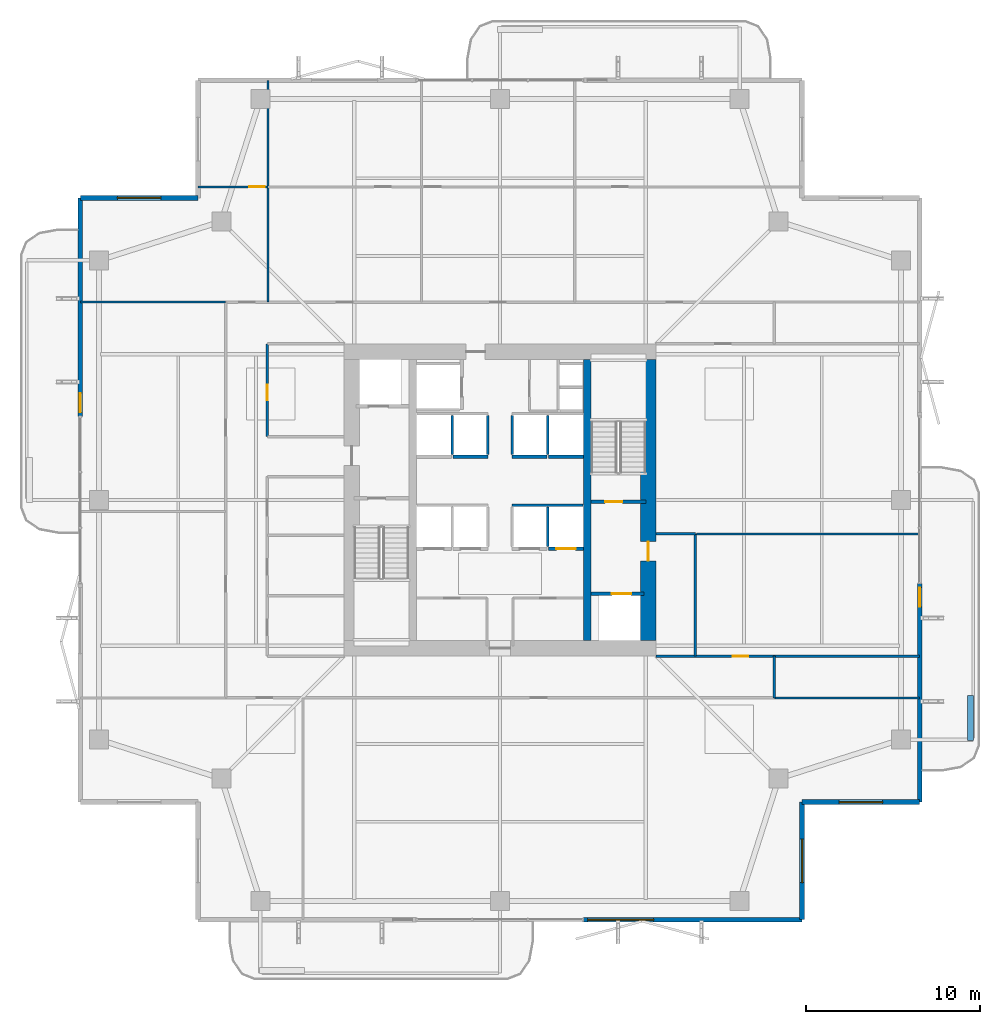
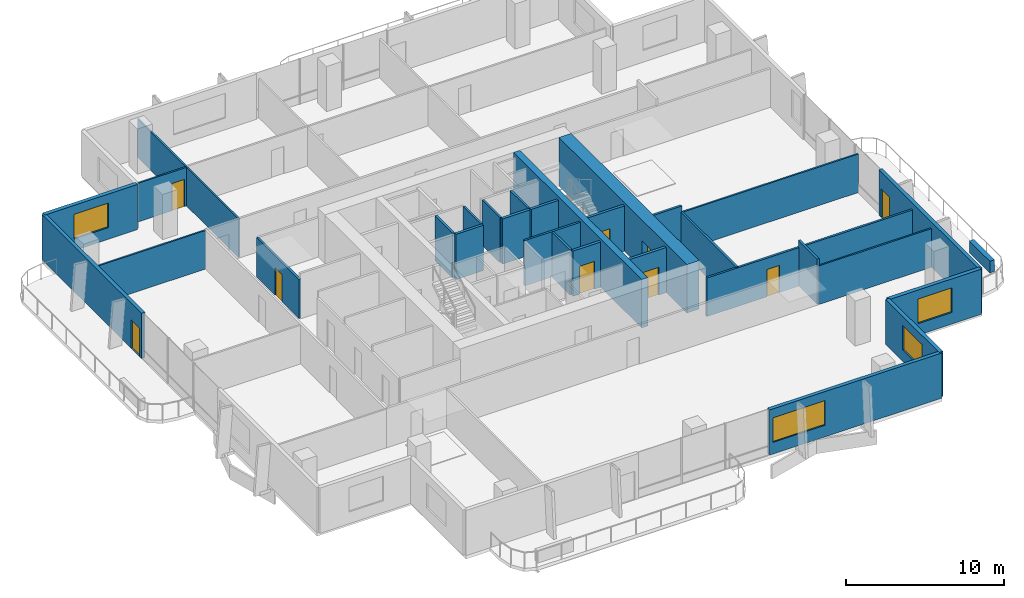
# One storey, part 20 of 25: 31 walls, 9 doors, 4 windows, 13 openings.
"""IFC4 building model written with IfcOpenShell, lengths in metres."""

from ifc_helpers import new_model, si_unit, direction, frame, frame_2d, origin, place, context, subcontext, project, spatial, rectangle, extrude, material, layer, layer_set, type_object, element, fill, save


model = new_model("IFC4")

# Units and contexts
model_context = context("Model", 3, precision=1e-05, world=origin(), true_north=direction((0.0, 1.0)))
body_context = subcontext(model_context, "Body", "Model", "MODEL_VIEW")
ifc_project = project(units=[si_unit("LENGTHUNIT", "METRE"), si_unit("AREAUNIT", "SQUARE_METRE"), si_unit("VOLUMEUNIT", "CUBIC_METRE"), si_unit("PLANEANGLEUNIT", "RADIAN"), si_unit("MASSUNIT", "GRAM", prefix="KILO")], contexts=[model_context])

# Site, building, storey
site_placement = place(None, origin())
site = spatial("IfcSite", under=ifc_project, at=site_placement, CompositionType="ELEMENT")
building_placement = place(site_placement, origin())
building = spatial("IfcBuilding", under=site, at=building_placement, Name="Belovzor Exchange Tower", CompositionType="ELEMENT")
storey_placement = place(building_placement, frame((0.0, 0.0, 183.300048828125)))
storey = spatial("IfcBuildingStorey", under=building, at=storey_placement, Name="L45", CompositionType="ELEMENT", Elevation=183.300048828125)

# Wall, opening, door
ifc_material_1 = material(Name="Acoustic Plasterboard on Galvanised Studs", Category="gypsum")
ifc_layer_1 = layer(ifc_material_1, 0.1201171875)
ifc_layer_set_1 = layer_set([ifc_layer_1], Name="Acoustic Plasterboard on Galvanised Studs")
wall_type_1 = type_object("IfcWallType", Name="Acoustic Double-Stud Partition Wall 120", PredefinedType="PARTITIONING", material=ifc_layer_set_1)
wall_1_placement = place(storey_placement, frame((11.39990234375, 46.833984375, 0.0), z_axis=(0.0, 0.0, 1.0), x_axis=(1.0, 0.0, 0.0)))
wall_1 = element("IfcWall", 1, at=wall_1_placement, inside=storey, type_object=wall_type_1, Name="W-P120 Partition Wall W-L45-NHDIV-0", PredefinedType="PARTITIONING", context=body_context, shape_type="SweptSolid", body=[
    extrude(rectangle(XDim=4.043212890625, YDim=0.1201171875, at=frame_2d((2.021484375, 0.0))), origin(), (0.0, 0.0, 1.0), 2.97998046875),
])
opening_1_placement = place(wall_1_placement, frame((2.943115234375, 0.0, 0.0)))
opening_1 = element("IfcOpeningElement", 2, at=opening_1_placement, cuts=wall_1, Name="Opening D-INT-090", PredefinedType="OPENING", context=body_context, shape_type="SweptSolid", body=[
    extrude(rectangle(XDim=0.89990234375, YDim=2.10009765625, at=frame_2d((0.449951171875, 1.050048828125))), frame((0.0, 0.070068359375, 0.0), z_axis=(0.0, -1.0, 0.0), x_axis=(1.0, 0.0, 0.0)), (0.0, 0.0, 1.0), 0.14013671875),
])
ifc_material_2 = material(Name="Veneered Hardwood Acoustic Leaf", Category="wood")
door_type_1 = type_object("IfcDoorType", Name="Trading Suite Acoustic Single Door 900x2100", OperationType="NOTDEFINED", PredefinedType="DOOR", material=ifc_material_2)
door_1_placement = place(opening_1_placement, origin())
door_1 = element("IfcDoor", 3, at=door_1_placement, inside=storey, type_object=door_type_1, Name="D-INT-090 Trading Suite Acoustic Single Door 900x2100", OperationType="SINGLE_SWING_RIGHT", OverallHeight=2.10009765625, OverallWidth=0.89990234375, PredefinedType="DOOR", context=body_context, shape_type="SweptSolid", body=[
    extrude(rectangle(XDim=0.89990234375, YDim=2.10009765625, at=frame_2d((0.449951171875, 1.050048828125))), frame((0.0, 0.02490234375, 0.0), z_axis=(0.0, -1.0, 0.0), x_axis=(1.0, 0.0, 0.0)), (0.0, 0.0, 1.0), 0.050048828125),
])
fill(opening_1, door_1)

# Walls
wall_2_placement = place(storey_placement, frame((15.443115234375, 40.199951171875, 0.0), z_axis=(0.0, 0.0, 1.0), x_axis=(0.0, 1.0, 0.0)))
element("IfcWall", 4, at=wall_2_placement, inside=storey, type_object=wall_type_1, Name="W-P120 Partition Wall W-L45-NDIV-1", PredefinedType="PARTITIONING", context=body_context, shape_type="SweptSolid", body=[
    extrude(rectangle(XDim=12.77001953125, YDim=0.1201171875, at=frame_2d((6.385009765625, 0.0))), origin(), (0.0, 0.0, 1.0), 2.97998046875),
])
wall_3_placement = place(storey_placement, frame((40.125, 26.85009765625, 0.0), z_axis=(0.0, 0.0, 1.0), x_axis=(1.0, 0.0, 0.0)))
element("IfcWall", 5, at=wall_3_placement, inside=storey, type_object=wall_type_1, Name="W-P120 Partition Wall W-L45-EDIV-1", PredefinedType="PARTITIONING", context=body_context, shape_type="SweptSolid", body=[
    extrude(rectangle(XDim=12.844970703125, YDim=0.1201171875, at=frame_2d((6.42236328125, 0.0))), origin(), (0.0, 0.0, 1.0), 2.97998046875),
])
wall_4_placement = place(storey_placement, frame((44.60009765625, 17.39990234375, 0.0), z_axis=(0.0, 0.0, 1.0), x_axis=(1.0, 0.0, 0.0)))
element("IfcWall", 6, at=wall_4_placement, inside=storey, type_object=wall_type_1, Name="W-P120 Partition Wall W-L45-END-SE", PredefinedType="PARTITIONING", context=body_context, shape_type="SweptSolid", body=[
    extrude(rectangle(XDim=8.369873046875, YDim=0.1201171875, at=frame_2d((4.18505859375, 0.0))), origin(), (0.0, 0.0, 1.0), 2.97998046875),
])
wall_5_placement = place(storey_placement, frame((4.6298828125, 40.199951171875, 0.0), z_axis=(0.0, 0.0, 1.0), x_axis=(1.0, 0.0, 0.0)))
element("IfcWall", 7, at=wall_5_placement, inside=storey, type_object=wall_type_1, Name="W-P120 Partition Wall W-L45-END-NW", PredefinedType="PARTITIONING", context=body_context, shape_type="SweptSolid", body=[
    extrude(rectangle(XDim=8.3701171875, YDim=0.1201171875, at=frame_2d((4.18505859375, 0.0))), origin(), (0.0, 0.0, 1.0), 2.97998046875),
])

# Wall, opening, door
ifc_material_3 = material(Name="Fire-Rated Gypsum Block and Mineral Wool", Category="gypsum")
ifc_layer_2 = layer(ifc_material_3, 0.14990234375)
ifc_layer_set_2 = layer_set([ifc_layer_2], Name="Fire-Rated Gypsum Block and Mineral Wool")
wall_type_2 = type_object("IfcWallType", Name="Fire-Rated Gypsum Block Corridor Wall 150", PredefinedType="PARTITIONING", material=ifc_layer_set_2)
wall_6_placement = place(storey_placement, frame((15.39990234375, 32.449951171875, 0.0), z_axis=(0.0, 0.0, 1.0), x_axis=(0.0, 1.0, 0.0)))
wall_6 = element("IfcWall", 8, at=wall_6_placement, inside=storey, type_object=wall_type_2, Name="W-P150 Partition Wall W-L45-WIE-N", PredefinedType="PARTITIONING", context=body_context, shape_type="SweptSolid", body=[
    extrude(rectangle(XDim=5.35009765625, YDim=0.14990234375, at=frame_2d((2.675048828125, 0.0))), origin(), (0.0, 0.0, 1.0), 3.030029296875),
])
opening_2_placement = place(wall_6_placement, frame((2.10009765625, 0.0, 0.0)))
opening_2 = element("IfcOpeningElement", 9, at=opening_2_placement, cuts=wall_6, Name="Opening D-FD60-090", PredefinedType="OPENING", context=body_context, shape_type="SweptSolid", body=[
    extrude(rectangle(XDim=0.89990234375, YDim=2.10009765625, at=frame_2d((0.449951171875, 1.050048828125))), frame((0.0, 0.0849609375, 0.0), z_axis=(0.0, -1.0, 0.0), x_axis=(1.0, 0.0, 0.0)), (0.0, 0.0, 1.0), 0.169921875),
])
ifc_material_4 = material(Name="Acoustic Timber Fire Leaf", Category="wood")
door_type_2 = type_object("IfcDoorType", Name="Core Service & Restroom Fire Door 900x2100", OperationType="NOTDEFINED", PredefinedType="DOOR", material=ifc_material_4)
door_2_placement = place(opening_2_placement, origin())
door_2 = element("IfcDoor", 10, at=door_2_placement, inside=storey, type_object=door_type_2, Name="D-FD60-090 Core Service & Restroom Fire Door 900x2100", OperationType="SINGLE_SWING_LEFT", OverallHeight=2.10009765625, OverallWidth=0.89990234375, PredefinedType="DOOR", context=body_context, shape_type="SweptSolid", body=[
    extrude(rectangle(XDim=0.89990234375, YDim=2.10009765625, at=frame_2d((0.449951171875, 1.050048828125))), frame((0.0, 0.02490234375, 0.0), z_axis=(0.0, -1.0, 0.0), x_axis=(1.0, 0.0, 0.0)), (0.0, 0.0, 1.0), 0.050048828125),
])
fill(opening_2, door_2)

# Walls
wall_7_placement = place(storey_placement, frame((37.800048828125, 26.85009765625, 0.0), z_axis=(0.0, 0.0, 1.0), x_axis=(1.0, 0.0, 0.0)))
element("IfcWall", 11, at=wall_7_placement, inside=storey, type_object=wall_type_2, Name="W-P150 Partition Wall W-L45-CFE-N", PredefinedType="PARTITIONING", context=body_context, shape_type="SweptSolid", body=[
    extrude(rectangle(XDim=2.25, YDim=0.14990234375, at=frame_2d((1.125, 0.0))), origin(), (0.0, 0.0, 1.0), 3.494873046875),
])
wall_8_placement = place(storey_placement, frame((40.050048828125, 19.800048828125, 0.0), z_axis=(0.0, 0.0, 1.0), x_axis=(0.0, 1.0, 0.0)))
element("IfcWall", 12, at=wall_8_placement, inside=storey, type_object=wall_type_2, Name="W-P150 Partition Wall W-L45-CFE-E", PredefinedType="PARTITIONING", context=body_context, shape_type="SweptSolid", body=[
    extrude(rectangle(XDim=7.050048828125, YDim=0.14990234375, at=frame_2d((3.52490234375, 0.0))), origin(), (0.0, 0.0, 1.0), 3.030029296875),
])
wall_9_placement = place(storey_placement, frame((44.60009765625, 17.39990234375, 0.0), z_axis=(0.0, 0.0, 1.0), x_axis=(0.0, 1.0, 0.0)))
element("IfcWall", 13, at=wall_9_placement, inside=storey, type_object=wall_type_2, Name="W-P150 Partition Wall W-L45-END-ES", PredefinedType="PARTITIONING", context=body_context, shape_type="SweptSolid", body=[
    extrude(rectangle(XDim=2.400146484375, YDim=0.14990234375, at=frame_2d((1.2001953125, 0.0))), origin(), (0.0, 0.0, 1.0), 3.494873046875),
])

# Wall, opening, door
wall_10_placement = place(storey_placement, frame((37.800048828125, 19.800048828125, 0.0), z_axis=(0.0, 0.0, 1.0), x_axis=(1.0, 0.0, 0.0)))
wall_10 = element("IfcWall", 14, at=wall_10_placement, inside=storey, type_object=wall_type_2, Name="W-P150 Partition Wall W-L45-CS-IN", PredefinedType="PARTITIONING", context=body_context, shape_type="SweptSolid", body=[
    extrude(rectangle(XDim=15.169921875, YDim=0.14990234375, at=frame_2d((7.5849609375, 0.0))), origin(), (0.0, 0.0, 1.0), 2.97998046875),
])
opening_3_placement = place(wall_10_placement, frame((4.39990234375, 0.0, 0.0)))
opening_3 = element("IfcOpeningElement", 15, at=opening_3_placement, cuts=wall_10, Name="Opening D-INT-090", PredefinedType="OPENING", context=body_context, shape_type="SweptSolid", body=[
    extrude(rectangle(XDim=0.89990234375, YDim=2.10009765625, at=frame_2d((0.449951171875, 1.050048828125))), frame((0.0, 0.0849609375, 0.0), z_axis=(0.0, -1.0, 0.0), x_axis=(1.0, 0.0, 0.0)), (0.0, 0.0, 1.0), 0.169921875),
])
door_3_placement = place(opening_3_placement, origin())
door_3 = element("IfcDoor", 16, at=door_3_placement, inside=storey, type_object=door_type_1, Name="D-INT-090 Trading Suite Acoustic Single Door 900x2100", OperationType="SINGLE_SWING_LEFT", OverallHeight=2.10009765625, OverallWidth=0.89990234375, PredefinedType="DOOR", context=body_context, shape_type="SweptSolid", body=[
    extrude(rectangle(XDim=0.89990234375, YDim=2.10009765625, at=frame_2d((0.449951171875, 1.050048828125))), frame((0.0, 0.02490234375, 0.0), z_axis=(0.0, -1.0, 0.0), x_axis=(1.0, 0.0, 0.0)), (0.0, 0.0, 1.0), 0.050048828125),
])
fill(opening_3, door_3)

# Wall, opening, window
ifc_material_5 = material(Name="Precast concrete C40/50", Category="concrete")
ifc_layer_3 = layer(ifc_material_5, 0.280029296875)
ifc_layer_set_3 = layer_set([ifc_layer_3], Name="Precast concrete C40/50")
wall_type_3 = type_object("IfcWallType", Name="Precast Concrete Notched Corner Frame Wall 280", PredefinedType="SOLIDWALL", material=ifc_layer_set_3)
wall_11_placement = place(storey_placement, frame((4.6298828125, 46.199951171875, 0.0), z_axis=(0.0, 0.0, 1.0), x_axis=(1.0, 0.0, 0.0)))
wall_11 = element("IfcWall", 17, at=wall_11_placement, inside=storey, type_object=wall_type_3, Name="W-CRN280 Precast Concrete Notched Corner Frame Wall 280 L45", PredefinedType="SOLIDWALL", context=body_context, shape_type="SweptSolid", body=[
    extrude(rectangle(XDim=6.77001953125, YDim=0.280029296875, at=frame_2d((3.385009765625, 0.0))), origin(), (0.0, 0.0, 1.0), 3.494873046875),
])
opening_4_placement = place(wall_11_placement, frame((2.135009765625, 0.0, 0.89990234375)))
opening_4 = element("IfcOpeningElement", 18, at=opening_4_placement, cuts=wall_11, Name="Opening WN-CRN250", PredefinedType="OPENING", context=body_context, shape_type="SweptSolid", body=[
    extrude(rectangle(XDim=2.5, YDim=1.89990234375, at=frame_2d((1.25, 0.949951171875))), frame((0.0, 0.14990234375, 0.0), z_axis=(0.0, -1.0, 0.0), x_axis=(1.0, 0.0, 0.0)), (0.0, 0.0, 1.0), 0.300048828125),
])
ifc_material_6 = material(Name="Thermally Broken Aluminium and Triple Glazing", Category="aluminium")
window_type_1 = type_object("IfcWindowType", Name="Streamline Moderne Corner Wrap Ribbon Window 2500x1900", PartitioningType="SINGLE_PANEL", PredefinedType="WINDOW", material=ifc_material_6)
window_1_placement = place(opening_4_placement, origin())
window_1 = element("IfcWindow", 19, at=window_1_placement, inside=storey, type_object=window_type_1, Name="WN-CRN250 Streamline Moderne Corner Wrap Ribbon Window 2500x1900", OverallHeight=1.89990234375, OverallWidth=2.5, PartitioningType="SINGLE_PANEL", PredefinedType="WINDOW", context=body_context, shape_type="SweptSolid", body=[
    extrude(rectangle(XDim=2.5, YDim=1.89990234375, at=frame_2d((1.25, 0.949951171875))), frame((0.0, 0.030029296875, 0.0), z_axis=(0.0, -1.0, 0.0), x_axis=(1.0, 0.0, 0.0)), (0.0, 0.0, 1.0), 0.06005859375),
])
fill(opening_4, window_1)

wall_12_placement = place(storey_placement, frame((52.969970703125, 11.39990234375, 0.0), z_axis=(0.0, 0.0, 1.0), x_axis=(-1.0, 0.0, 0.0)))
wall_12 = element("IfcWall", 20, at=wall_12_placement, inside=storey, type_object=wall_type_3, Name="W-CRN280 Precast Concrete Notched Corner Frame Wall 280 L45", PredefinedType="SOLIDWALL", context=body_context, shape_type="SweptSolid", body=[
    extrude(rectangle(XDim=6.77001953125, YDim=0.280029296875, at=frame_2d((3.385009765625, 0.0))), origin(), (0.0, 0.0, 1.0), 3.494873046875),
])
opening_5_placement = place(wall_12_placement, frame((2.135009765625, 0.0, 0.89990234375)))
opening_5 = element("IfcOpeningElement", 21, at=opening_5_placement, cuts=wall_12, Name="Opening WN-CRN250", PredefinedType="OPENING", context=body_context, shape_type="SweptSolid", body=[
    extrude(rectangle(XDim=2.5, YDim=1.89990234375, at=frame_2d((1.25, 0.949951171875))), frame((0.0, 0.14990234375, 0.0), z_axis=(0.0, -1.0, 0.0), x_axis=(1.0, 0.0, 0.0)), (0.0, 0.0, 1.0), 0.300048828125),
])
window_2_placement = place(opening_5_placement, origin())
window_2 = element("IfcWindow", 22, at=window_2_placement, inside=storey, type_object=window_type_1, Name="WN-CRN250 Streamline Moderne Corner Wrap Ribbon Window 2500x1900", OverallHeight=1.89990234375, OverallWidth=2.5, PartitioningType="SINGLE_PANEL", PredefinedType="WINDOW", context=body_context, shape_type="SweptSolid", body=[
    extrude(rectangle(XDim=2.5, YDim=1.89990234375, at=frame_2d((1.25, 0.949951171875))), frame((0.0, 0.030029296875, 0.0), z_axis=(0.0, -1.0, 0.0), x_axis=(1.0, 0.0, 0.0)), (0.0, 0.0, 1.0), 0.06005859375),
])
fill(opening_5, window_2)

wall_13_placement = place(storey_placement, frame((46.199951171875, 11.39990234375, 0.0), z_axis=(0.0, 0.0, 1.0), x_axis=(0.0, -1.0, 0.0)))
wall_13 = element("IfcWall", 23, at=wall_13_placement, inside=storey, type_object=wall_type_3, Name="W-CRN280 Precast Concrete Notched Corner Frame Wall 280 L45", PredefinedType="SOLIDWALL", context=body_context, shape_type="SweptSolid", body=[
    extrude(rectangle(XDim=6.77001953125, YDim=0.280029296875, at=frame_2d((3.385009765625, 0.0))), origin(), (0.0, 0.0, 1.0), 3.494873046875),
])
opening_6_placement = place(wall_13_placement, frame((2.135009765625, 0.0, 0.89990234375)))
opening_6 = element("IfcOpeningElement", 24, at=opening_6_placement, cuts=wall_13, Name="Opening WN-CRN250", PredefinedType="OPENING", context=body_context, shape_type="SweptSolid", body=[
    extrude(rectangle(XDim=2.5, YDim=1.89990234375, at=frame_2d((1.25, 0.949951171875))), frame((0.0, 0.14990234375, 0.0), z_axis=(0.0, -1.0, 0.0), x_axis=(1.0, 0.0, 0.0)), (0.0, 0.0, 1.0), 0.300048828125),
])
window_3_placement = place(opening_6_placement, origin())
window_3 = element("IfcWindow", 25, at=window_3_placement, inside=storey, type_object=window_type_1, Name="WN-CRN250 Streamline Moderne Corner Wrap Ribbon Window 2500x1900", OverallHeight=1.89990234375, OverallWidth=2.5, PartitioningType="SINGLE_PANEL", PredefinedType="WINDOW", context=body_context, shape_type="SweptSolid", body=[
    extrude(rectangle(XDim=2.5, YDim=1.89990234375, at=frame_2d((1.25, 0.949951171875))), frame((0.0, 0.030029296875, 0.0), z_axis=(0.0, -1.0, 0.0), x_axis=(1.0, 0.0, 0.0)), (0.0, 0.0, 1.0), 0.06005859375),
])
fill(opening_6, window_3)

ifc_material_7 = material(Name="Precast concrete C40/50", Category="concrete")
ifc_layer_4 = layer(ifc_material_7, 0.260009765625)
ifc_layer_set_4 = layer_set([ifc_layer_4], Name="Precast concrete C40/50")
wall_type_4 = type_object("IfcWallType", Name="Precast Concrete Perimeter Loggia Frame Wall 260", PredefinedType="SOLIDWALL", material=ifc_layer_set_4)
wall_14_placement = place(storey_placement, frame((46.199951171875, 4.6298828125, 0.0), z_axis=(0.0, 0.0, 1.0), x_axis=(-1.0, 0.0, 0.0)))
wall_14 = element("IfcWall", 26, at=wall_14_placement, inside=storey, type_object=wall_type_4, Name="W-EXT260 Precast Concrete Perimeter Loggia Frame Wall 260 L45", PredefinedType="SOLIDWALL", context=body_context, shape_type="SweptSolid", body=[
    extrude(rectangle(XDim=12.599853515625, YDim=0.260009765625, at=frame_2d((6.2998046875, 0.0))), origin(), (0.0, 0.0, 1.0), 3.494873046875),
])
opening_7_placement = place(wall_14_placement, frame((8.550048828125, 0.0, 0.89990234375)))
opening_7 = element("IfcOpeningElement", 27, at=opening_7_placement, cuts=wall_14, Name="Opening WN-RIB380", PredefinedType="OPENING", context=body_context, shape_type="SweptSolid", body=[
    extrude(rectangle(XDim=3.800048828125, YDim=1.89990234375, at=frame_2d((1.89990234375, 0.949951171875))), frame((0.0, 0.139892578125, 0.0), z_axis=(0.0, -1.0, 0.0), x_axis=(1.0, 0.0, 0.0)), (0.0, 0.0, 1.0), 0.280029296875),
])
ifc_material_8 = material(Name="Thermally Broken Aluminium and Triple Glazing", Category="aluminium")
window_type_2 = type_object("IfcWindowType", Name="Streamline Moderne Horizontal Ribbon Window 3800x1900", PartitioningType="SINGLE_PANEL", PredefinedType="WINDOW", material=ifc_material_8)
window_4_placement = place(opening_7_placement, origin())
window_4 = element("IfcWindow", 28, at=window_4_placement, inside=storey, type_object=window_type_2, Name="WN-RIB380 Streamline Moderne Horizontal Ribbon Window 3800x1900", OverallHeight=1.89990234375, OverallWidth=3.800048828125, PartitioningType="SINGLE_PANEL", PredefinedType="WINDOW", context=body_context, shape_type="SweptSolid", body=[
    extrude(rectangle(XDim=3.800048828125, YDim=1.89990234375, at=frame_2d((1.89990234375, 0.949951171875))), frame((0.0, 0.030029296875, 0.0), z_axis=(0.0, -1.0, 0.0), x_axis=(1.0, 0.0, 0.0)), (0.0, 0.0, 1.0), 0.06005859375),
])
fill(opening_7, window_4)

# Wall, opening, door
wall_15_placement = place(storey_placement, frame((4.6298828125, 33.60009765625, 0.0), z_axis=(0.0, 0.0, 1.0), x_axis=(0.0, 1.0, 0.0)))
wall_15 = element("IfcWall", 29, at=wall_15_placement, inside=storey, type_object=wall_type_4, Name="W-EXT260 Precast Concrete Perimeter Loggia Frame Wall 260 L45", PredefinedType="SOLIDWALL", context=body_context, shape_type="SweptSolid", body=[
    extrude(rectangle(XDim=12.599853515625, YDim=0.260009765625, at=frame_2d((6.2998046875, 0.0))), origin(), (0.0, 0.0, 1.0), 3.494873046875),
])
opening_8_placement = place(wall_15_placement, frame((0.25, 0.0, 0.0)))
opening_8 = element("IfcOpeningElement", 30, at=opening_8_placement, cuts=wall_15, Name="Opening D-BAL110", PredefinedType="OPENING", context=body_context, shape_type="SweptSolid", body=[
    extrude(rectangle(XDim=1.10009765625, YDim=2.199951171875, at=frame_2d((0.550048828125, 1.10009765625))), frame((0.0, 0.139892578125, 0.0), z_axis=(0.0, -1.0, 0.0), x_axis=(1.0, 0.0, 0.0)), (0.0, 0.0, 1.0), 0.280029296875),
])
ifc_material_9 = material(Name="Thermally Broken Anodised Aluminium and Laminated Glass", Category="aluminium")
door_type_3 = type_object("IfcDoorType", Name="Planted Loggia Terrace Glazed Door 1100x2200", OperationType="SINGLE_SWING_LEFT", PredefinedType="DOOR", material=ifc_material_9)
door_4_placement = place(opening_8_placement, origin())
door_4 = element("IfcDoor", 31, at=door_4_placement, inside=storey, type_object=door_type_3, Name="D-BAL110 Balcony Terrace Door L45 W", OperationType="SINGLE_SWING_RIGHT", OverallHeight=2.199951171875, OverallWidth=1.10009765625, PredefinedType="DOOR", context=body_context, shape_type="SweptSolid", body=[
    extrude(rectangle(XDim=1.10009765625, YDim=2.199951171875, at=frame_2d((0.550048828125, 1.10009765625))), frame((0.0, 0.02490234375, 0.0), z_axis=(0.0, -1.0, 0.0), x_axis=(1.0, 0.0, 0.0)), (0.0, 0.0, 1.0), 0.050048828125),
])
fill(opening_8, door_4)

wall_16_placement = place(storey_placement, frame((52.969970703125, 24.0, 0.0), z_axis=(0.0, 0.0, 1.0), x_axis=(0.0, -1.0, 0.0)))
wall_16 = element("IfcWall", 32, at=wall_16_placement, inside=storey, type_object=wall_type_4, Name="W-EXT260 Precast Concrete Perimeter Loggia Frame Wall 260 L45", PredefinedType="SOLIDWALL", context=body_context, shape_type="SweptSolid", body=[
    extrude(rectangle(XDim=12.60009765625, YDim=0.260009765625, at=frame_2d((6.300048828125, 0.0))), origin(), (0.0, 0.0, 1.0), 3.494873046875),
])
opening_9_placement = place(wall_16_placement, frame((0.25, 0.0, 0.0)))
opening_9 = element("IfcOpeningElement", 33, at=opening_9_placement, cuts=wall_16, Name="Opening D-BAL110", PredefinedType="OPENING", context=body_context, shape_type="SweptSolid", body=[
    extrude(rectangle(XDim=1.10009765625, YDim=2.199951171875, at=frame_2d((0.550048828125, 1.10009765625))), frame((0.0, 0.139892578125, 0.0), z_axis=(0.0, -1.0, 0.0), x_axis=(1.0, 0.0, 0.0)), (0.0, 0.0, 1.0), 0.280029296875),
])
door_5_placement = place(opening_9_placement, origin())
door_5 = element("IfcDoor", 34, at=door_5_placement, inside=storey, type_object=door_type_3, Name="D-BAL110 Balcony Terrace Door L45 E", OperationType="SINGLE_SWING_LEFT", OverallHeight=2.199951171875, OverallWidth=1.10009765625, PredefinedType="DOOR", context=body_context, shape_type="SweptSolid", body=[
    extrude(rectangle(XDim=1.10009765625, YDim=2.199951171875, at=frame_2d((0.550048828125, 1.10009765625))), frame((0.0, 0.02490234375, 0.0), z_axis=(0.0, -1.0, 0.0), x_axis=(1.0, 0.0, 0.0)), (0.0, 0.0, 1.0), 0.050048828125),
])
fill(opening_9, door_5)

# Walls
ifc_material_10 = material(Name="Precast concrete C40/50", Category="concrete")
ifc_layer_5 = layer(ifc_material_10, 0.35009765625)
ifc_layer_set_5 = layer_set([ifc_layer_5], Name="Precast concrete C40/50")
wall_type_5 = type_object("IfcWallType", Name="Precast Concrete Structural Tree Planter Trough 350", PredefinedType="PARAPET", material=ifc_layer_set_5)
wall_17_placement = place(storey_placement, frame((55.89990234375, 14.949951171875, 0.0), z_axis=(0.0, 0.0, 1.0), x_axis=(0.0, 1.0, 0.0)))
element("IfcWall", 35, at=wall_17_placement, inside=storey, type_object=wall_type_5, Name="PT-350 Precast Concrete Structural Tree Planter Trough 350 L45", PredefinedType="PARAPET", context=body_context, shape_type="SweptSolid", body=[
    extrude(rectangle(XDim=2.60009765625, YDim=0.35009765625, at=frame_2d((1.300048828125, 0.0))), origin(), (0.0, 0.0, 1.0), 0.89990234375),
])
ifc_material_11 = material(Name="Concrete C50/60", Category="concrete")
ifc_layer_6 = layer(ifc_material_11, 0.449951171875)
ifc_layer_set_6 = layer_set([ifc_layer_6], Name="Concrete C50/60")
wall_type_6 = type_object("IfcWallType", Name="Reinforced Concrete Core Internal Web Wall 450", PredefinedType="SHEAR", material=ifc_layer_set_6)
wall_18_placement = place(storey_placement, frame((33.824951171875, 20.699951171875, 0.0), z_axis=(0.0, 0.0, 1.0), x_axis=(0.0, 1.0, 0.0)))
element("IfcWall", 36, at=wall_18_placement, inside=storey, type_object=wall_type_6, Name="CW-W045 Core Internal Web Wall L45 ER", PredefinedType="SHEAR", context=body_context, shape_type="SweptSolid", body=[
    extrude(rectangle(XDim=16.199951171875, YDim=0.449951171875, at=frame_2d((8.10009765625, 0.0))), origin(), (0.0, 0.0, 1.0), 3.75),
])
ifc_material_12 = material(Name="Concrete C50/60", Category="concrete")
ifc_layer_7 = layer(ifc_material_12, 0.14990234375)
ifc_layer_set_7 = layer_set([ifc_layer_7], Name="Concrete C50/60")
wall_type_7 = type_object("IfcWallType", Name="Reinforced Concrete Core Riser Shear Wall 150", PredefinedType="SHEAR", material=ifc_layer_set_7)
wall_19_placement = place(storey_placement, frame((29.5, 28.5, 0.0), z_axis=(0.0, 0.0, 1.0), x_axis=(1.0, 0.0, 0.0)))
element("IfcWall", 37, at=wall_19_placement, inside=storey, type_object=wall_type_7, Name="W-C150S Core Shaft Wall W-SHB-L45-PLM-NE", PredefinedType="SHEAR", context=body_context, shape_type="SweptSolid", body=[
    extrude(rectangle(XDim=4.080078125, YDim=0.14990234375, at=frame_2d((2.0400390625, 0.0))), origin(), (0.0, 0.0, 1.0), 3.494873046875),
])
wall_20_placement = place(storey_placement, frame((31.550048828125, 26.1201171875, 0.0), z_axis=(0.0, 0.0, 1.0), x_axis=(0.0, 1.0, 0.0)))
element("IfcWall", 38, at=wall_20_placement, inside=storey, type_object=wall_type_7, Name="W-C150S Core Shaft Wall W-SHD-L45-PLM-4", PredefinedType="SHEAR", context=body_context, shape_type="SweptSolid", body=[
    extrude(rectangle(XDim=2.27978515625, YDim=0.14990234375, at=frame_2d((1.139892578125, 0.0))), origin(), (0.0, 0.0, 1.0), 3.494873046875),
])
for number, where, z_axis, x_axis, name in (
    (39, (26.050048828125, 31.419921875, 0.0), (0.0, 0.0, 1.0), (0.0, 1.0, 0.0), "W-C150S Core Shaft Wall W-SHD-L45-PLH-1"),
    (40, (28.10009765625, 31.419921875, 0.0), (0.0, 0.0, 1.0), (0.0, 1.0, 0.0), "W-C150S Core Shaft Wall W-SHD-L45-PLH-2"),
    (41, (29.5, 31.419921875, 0.0), (0.0, 0.0, 1.0), (0.0, 1.0, 0.0), "W-C150S Core Shaft Wall W-SHD-L45-PLH-3"),
    (42, (31.550048828125, 31.419921875, 0.0), (0.0, 0.0, 1.0), (0.0, 1.0, 0.0), "W-C150S Core Shaft Wall W-SHD-L45-PLH-4"),
):
    element("IfcWall", number, at=place(storey_placement, frame(where, z_axis=z_axis, x_axis=x_axis)), inside=storey, type_object=wall_type_7, Name=name, PredefinedType="SHEAR", context=body_context, shape_type="SweptSolid", body=[
        extrude(rectangle(XDim=2.239990234375, YDim=0.14990234375, at=frame_2d((1.1201171875, 0.0))), origin(), (0.0, 0.0, 1.0), 3.494873046875),
    ])

# Wall, opening, door
ifc_material_13 = material(Name="Concrete C50/60", Category="concrete")
ifc_layer_8 = layer(ifc_material_13, 0.199951171875)
ifc_layer_set_8 = layer_set([ifc_layer_8], Name="Concrete C50/60")
wall_type_8 = type_object("IfcWallType", Name="Reinforced Concrete Core Shaft Shear Wall 200", PredefinedType="SHEAR", material=ifc_layer_set_8)
wall_21_placement = place(storey_placement, frame((34.050048828125, 28.699951171875, 0.0), z_axis=(0.0, 0.0, 1.0), x_axis=(1.0, 0.0, 0.0)))
wall_21 = element("IfcWall", 43, at=wall_21_placement, inside=storey, type_object=wall_type_8, Name="W-C200S Core Shaft Wall W-CORE-L45-FFLE2", PredefinedType="SHEAR", context=body_context, shape_type="SweptSolid", body=[
    extrude(rectangle(XDim=3.14990234375, YDim=0.199951171875, at=frame_2d((1.574951171875, 0.0))), origin(), (0.0, 0.0, 1.0), 3.494873046875),
])
opening_10_placement = place(wall_21_placement, frame((0.800048828125, 0.0, 0.0)))
opening_10 = element("IfcOpeningElement", 44, at=opening_10_placement, cuts=wall_21, Name="Opening D-FD90-100", PredefinedType="OPENING", context=body_context, shape_type="SweptSolid", body=[
    extrude(rectangle(XDim=1.0, YDim=2.10009765625, at=frame_2d((0.5, 1.050048828125))), frame((0.0, 0.10986328125, 0.0), z_axis=(0.0, -1.0, 0.0), x_axis=(1.0, 0.0, 0.0)), (0.0, 0.0, 1.0), 0.219970703125),
])
ifc_material_14 = material(Name="Fire-Rated Galvanised Steel Leaf", Category="steel")
door_type_4 = type_object("IfcDoorType", Name="Protected Stairwell Single Fire Door 1000x2100", OperationType="NOTDEFINED", PredefinedType="DOOR", material=ifc_material_14)
door_6_placement = place(opening_10_placement, origin())
door_6 = element("IfcDoor", 45, at=door_6_placement, inside=storey, type_object=door_type_4, Name="D-FD90-100 Protected Stairwell Single Fire Door 1000x2100", OperationType="SINGLE_SWING_LEFT", OverallHeight=2.10009765625, OverallWidth=1.0, PredefinedType="DOOR", context=body_context, shape_type="SweptSolid", body=[
    extrude(rectangle(XDim=1.0, YDim=2.10009765625, at=frame_2d((0.5, 1.050048828125))), frame((0.0, 0.02490234375, 0.0), z_axis=(0.0, -1.0, 0.0), x_axis=(1.0, 0.0, 0.0)), (0.0, 0.0, 1.0), 0.050048828125),
])
fill(opening_10, door_6)

wall_22_placement = place(storey_placement, frame((34.050048828125, 23.39990234375, 0.0), z_axis=(0.0, 0.0, 1.0), x_axis=(1.0, 0.0, 0.0)))
wall_22 = element("IfcWall", 46, at=wall_22_placement, inside=storey, type_object=wall_type_8, Name="W-C200S Core Shaft Wall W-SH-L45-FFL-02", PredefinedType="SHEAR", context=body_context, shape_type="SweptSolid", body=[
    extrude(rectangle(XDim=3.050048828125, YDim=0.199951171875, at=frame_2d((1.52490234375, 0.0))), origin(), (0.0, 0.0, 1.0), 3.494873046875),
])
opening_11_placement = place(wall_22_placement, frame((1.199951171875, 0.0, 0.0)))
opening_11 = element("IfcOpeningElement", 47, at=opening_11_placement, cuts=wall_22, Name="Opening LD-110", PredefinedType="OPENING", context=body_context, shape_type="SweptSolid", body=[
    extrude(rectangle(XDim=1.10009765625, YDim=2.14990234375, at=frame_2d((0.550048828125, 1.074951171875))), frame((0.0, 0.10986328125, 0.0), z_axis=(0.0, -1.0, 0.0), x_axis=(1.0, 0.0, 0.0)), (0.0, 0.0, 1.0), 0.219970703125),
])
ifc_material_15 = material(Name="Stainless Steel Grade 304", Category="steel")
door_type_5 = type_object("IfcDoorType", Name="Automated Stainless Steel Lift Landing Door 1100x2150", OperationType="SLIDING_TO_RIGHT", PredefinedType="DOOR", material=ifc_material_15)
door_7_placement = place(opening_11_placement, origin())
door_7 = element("IfcDoor", 48, at=door_7_placement, inside=storey, type_object=door_type_5, Name="LD-110 Automated Stainless Steel Lift Landing Door 1100x2150", OperationType="SLIDING_TO_RIGHT", OverallHeight=2.14990234375, OverallWidth=1.10009765625, PredefinedType="DOOR", context=body_context, shape_type="SweptSolid", body=[
    extrude(rectangle(XDim=1.10009765625, YDim=2.14990234375, at=frame_2d((0.550048828125, 1.074951171875))), frame((0.0, 0.02490234375, 0.0), z_axis=(0.0, -1.0, 0.0), x_axis=(1.0, 0.0, 0.0)), (0.0, 0.0, 1.0), 0.050048828125),
])
fill(opening_11, door_7)

wall_23_placement = place(storey_placement, frame((31.60009765625, 26.0, 0.0), z_axis=(0.0, 0.0, 1.0), x_axis=(1.0, 0.0, 0.0)))
wall_23 = element("IfcWall", 49, at=wall_23_placement, inside=storey, type_object=wall_type_8, Name="W-C200S Core Shaft Wall W-SH-L45-PL-M4", PredefinedType="SHEAR", context=body_context, shape_type="SweptSolid", body=[
    extrude(rectangle(XDim=2.0, YDim=0.199951171875, at=frame_2d((1.0, 0.0))), origin(), (0.0, 0.0, 1.0), 3.494873046875),
])
opening_12_placement = place(wall_23_placement, frame((0.449951171875, 0.0, 0.0)))
opening_12 = element("IfcOpeningElement", 50, at=opening_12_placement, cuts=wall_23, Name="Opening LD-110", PredefinedType="OPENING", context=body_context, shape_type="SweptSolid", body=[
    extrude(rectangle(XDim=1.10009765625, YDim=2.14990234375, at=frame_2d((0.550048828125, 1.074951171875))), frame((0.0, 0.10986328125, 0.0), z_axis=(0.0, -1.0, 0.0), x_axis=(1.0, 0.0, 0.0)), (0.0, 0.0, 1.0), 0.219970703125),
])
door_8_placement = place(opening_12_placement, origin())
door_8 = element("IfcDoor", 51, at=door_8_placement, inside=storey, type_object=door_type_5, Name="LD-110 Automated Stainless Steel Lift Landing Door 1100x2150", OperationType="SLIDING_TO_RIGHT", OverallHeight=2.14990234375, OverallWidth=1.10009765625, PredefinedType="DOOR", context=body_context, shape_type="SweptSolid", body=[
    extrude(rectangle(XDim=1.10009765625, YDim=2.14990234375, at=frame_2d((0.550048828125, 1.074951171875))), frame((0.0, 0.02490234375, 0.0), z_axis=(0.0, -1.0, 0.0), x_axis=(1.0, 0.0, 0.0)), (0.0, 0.0, 1.0), 0.050048828125),
])
fill(opening_12, door_8)

# Walls
for number, where, z_axis, x_axis, name in (
    (52, (26.10009765625, 31.300048828125, 0.0), (0.0, 0.0, 1.0), (1.0, 0.0, 0.0), "W-C200S Core Shaft Wall W-SH-L45-PL-H2"),
    (53, (29.5, 31.300048828125, 0.0), (0.0, 0.0, 1.0), (1.0, 0.0, 0.0), "W-C200S Core Shaft Wall W-SH-L45-PL-H3"),
    (54, (31.60009765625, 31.300048828125, 0.0), (0.0, 0.0, 1.0), (1.0, 0.0, 0.0), "W-C200S Core Shaft Wall W-SH-L45-PL-H4"),
):
    element("IfcWall", number, at=place(storey_placement, frame(where, z_axis=z_axis, x_axis=x_axis)), inside=storey, type_object=wall_type_8, Name=name, PredefinedType="SHEAR", context=body_context, shape_type="SweptSolid", body=[
        extrude(rectangle(XDim=2.0, YDim=0.199951171875, at=frame_2d((1.0, 0.0))), origin(), (0.0, 0.0, 1.0), 3.494873046875),
    ])

# Wall, opening, door
ifc_material_16 = material(Name="Concrete C60/75", Category="concrete")
ifc_layer_9 = layer(ifc_material_16, 0.89990234375)
ifc_layer_set_9 = layer_set([ifc_layer_9], Name="Concrete C60/75")
wall_type_9 = type_object("IfcWallType", Name="Reinforced Concrete Core Shear Wall 900", PredefinedType="SHEAR", material=ifc_layer_set_9)
wall_24_placement = place(storey_placement, frame((37.35009765625, 20.699951171875, 0.0), z_axis=(0.0, 0.0, 1.0), x_axis=(0.0, 1.0, 0.0)))
wall_24 = element("IfcWall", 55, at=wall_24_placement, inside=storey, type_object=wall_type_9, Name="CW-S090 Core Shear Wall L45 E", PredefinedType="SHEAR", context=body_context, shape_type="SweptSolid", body=[
    extrude(rectangle(XDim=16.199951171875, YDim=0.89990234375, at=frame_2d((8.10009765625, 0.0))), origin(), (0.0, 0.0, 1.0), 3.75),
])
opening_13_placement = place(wall_24_placement, frame((4.60009765625, 0.0, 0.0)))
opening_13 = element("IfcOpeningElement", 56, at=opening_13_placement, cuts=wall_24, Name="Opening D-FD90-110", PredefinedType="OPENING", context=body_context, shape_type="SweptSolid", body=[
    extrude(rectangle(XDim=1.10009765625, YDim=2.14990234375, at=frame_2d((0.550048828125, 1.074951171875))), frame((0.0, 0.4599609375, 0.0), z_axis=(0.0, -1.0, 0.0), x_axis=(1.0, 0.0, 0.0)), (0.0, 0.0, 1.0), 0.919921875),
])
ifc_material_17 = material(Name="Fire-Rated Galvanised Steel Leaf", Category="steel")
door_type_6 = type_object("IfcDoorType", Name="Protected Escape Vestibule Fire Door 1100x2150", OperationType="NOTDEFINED", PredefinedType="DOOR", material=ifc_material_17)
door_9_placement = place(opening_13_placement, origin())
door_9 = element("IfcDoor", 57, at=door_9_placement, inside=storey, type_object=door_type_6, Name="D-FD90-110 Protected Escape Vestibule Fire Door 1100x2150", OperationType="SINGLE_SWING_RIGHT", OverallHeight=2.14990234375, OverallWidth=1.10009765625, PredefinedType="DOOR", context=body_context, shape_type="SweptSolid", body=[
    extrude(rectangle(XDim=1.10009765625, YDim=2.14990234375, at=frame_2d((0.550048828125, 1.074951171875))), frame((0.0, 0.02490234375, 0.0), z_axis=(0.0, -1.0, 0.0), x_axis=(1.0, 0.0, 0.0)), (0.0, 0.0, 1.0), 0.050048828125),
])
fill(opening_13, door_9)

save(model, "model.ifc")
